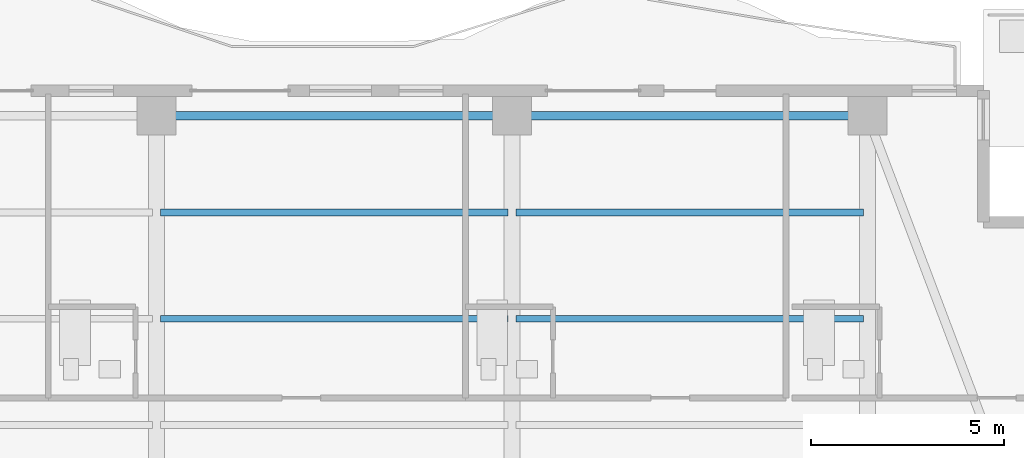
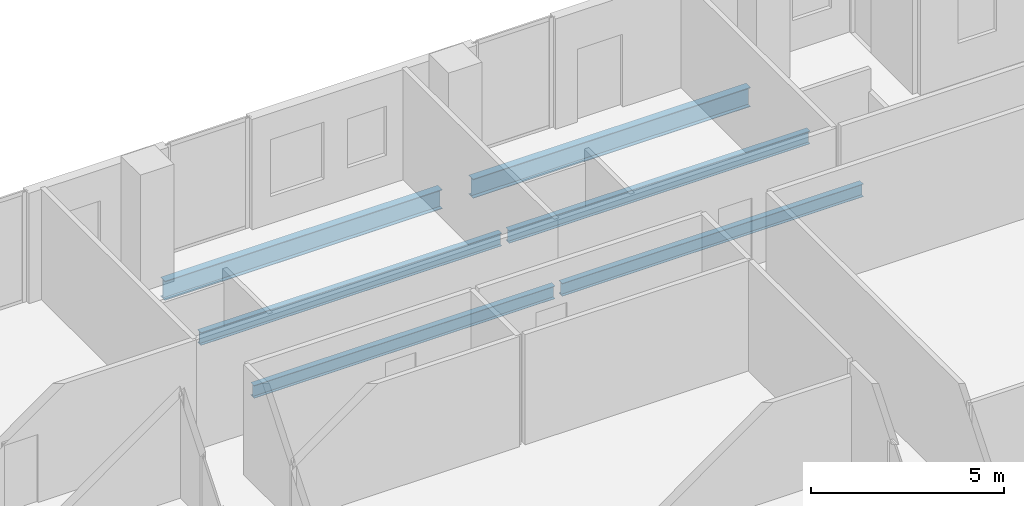
# One storey, part 13 of 23: 6 beams.
"""IFC4 building model written with IfcOpenShell, lengths in metres."""

from ifc_helpers import new_model, si_unit, direction, frame, origin, origin_2d, place, context, subcontext, project, spatial, i_section, extrude, material, material_profile, profile_set, type_object, element, save


model = new_model("IFC4")

# Units and contexts
model_context = context("Model", 3, precision=1e-05, world=origin(), true_north=direction((0.0, 1.0)))
body_context = subcontext(model_context, "Body", "Model", "MODEL_VIEW")
ifc_project = project(units=[si_unit("LENGTHUNIT", "METRE"), si_unit("AREAUNIT", "SQUARE_METRE"), si_unit("VOLUMEUNIT", "CUBIC_METRE"), si_unit("PLANEANGLEUNIT", "RADIAN"), si_unit("MASSUNIT", "GRAM", prefix="KILO")], contexts=[model_context])

# Site, building, storey
site_placement = place(None, origin())
site = spatial("IfcSite", under=ifc_project, at=site_placement, CompositionType="ELEMENT")
building_placement = place(site_placement, origin())
building = spatial("IfcBuilding", under=site, at=building_placement, Name="Zuhayl Quay Hotel", CompositionType="ELEMENT")
storey_placement = place(building_placement, frame((0.0, 0.0, 261.85009765625)))
storey = spatial("IfcBuildingStorey", under=building, at=storey_placement, Name="L66", CompositionType="ELEMENT", Elevation=261.85009765625)

# Beams
ifc_material = material(Name="Steel ASTM A992 Grade 50", Category="steel")
ifc_material_profile_1 = material_profile(ifc_material, i_section(OverallWidth=0.22802734375, OverallDepth=0.60693359375, WebThickness=0.01123046875, FlangeThickness=0.017333984375, at=origin_2d()), Name="W24X76")
ifc_profile_set_1 = profile_set([ifc_material_profile_1], Name="Steel ASTM A992 Grade 50")
beam_type_1 = type_object("IfcBeamType", Name="BM_B3_W24X76", PredefinedType="BEAM", material=ifc_profile_set_1)
beam_1_placement = place(storey_placement, frame((13.340087890625, 38.35009765625, -0.523681640625), z_axis=(-1.0, 0.0, 0.0), x_axis=(0.0, -1.0, 0.0)))
element("IfcBeam", 1, at=beam_1_placement, inside=storey, type_object=beam_type_1, Name="L66 Floor Beam RG_L66_07", PredefinedType="BEAM", context=body_context, shape_type="SweptSolid", body=[
    extrude(i_section(OverallWidth=0.22802734375, OverallDepth=0.60693359375, WebThickness=0.01123046875, FlangeThickness=0.017333984375, at=origin_2d()), origin(), (0.0, 0.0, 1.0), 8.280029296875),
])
beam_2_placement = place(storey_placement, frame((4.139892578125, 38.35009765625, -0.523681640625), z_axis=(-1.0, 0.0, 0.0), x_axis=(0.0, -1.0, 0.0)))
element("IfcBeam", 2, at=beam_2_placement, inside=storey, type_object=beam_type_1, Name="L66 Floor Beam RG_L66_08", PredefinedType="BEAM", context=body_context, shape_type="SweptSolid", body=[
    extrude(i_section(OverallWidth=0.22802734375, OverallDepth=0.60693359375, WebThickness=0.01123046875, FlangeThickness=0.017333984375, at=origin_2d()), origin(), (0.0, 0.0, 1.0), 8.27978515625),
])
ifc_material_profile_2 = material_profile(ifc_material, i_section(OverallWidth=0.177978515625, OverallDepth=0.404052734375, WebThickness=0.007568359375, FlangeThickness=0.010986328125, at=origin_2d()), Name="W16X36")
ifc_profile_set_2 = profile_set([ifc_material_profile_2], Name="Steel ASTM A992 Grade 50")
beam_type_2 = type_object("IfcBeamType", Name="BM_J3_W16X36", PredefinedType="JOIST", material=ifc_profile_set_2)
beam_3_placement = place(storey_placement, frame((-4.493896484375, 33.10009765625, -0.422119140625), z_axis=(1.0, 0.0, 0.0), x_axis=(0.0, 1.0, 0.0)))
element("IfcBeam", 3, at=beam_3_placement, inside=storey, type_object=beam_type_2, Name="L66 Floor Beam FJ_L66_7_2", PredefinedType="JOIST", context=body_context, shape_type="SweptSolid", body=[
    extrude(i_section(OverallWidth=0.177978515625, OverallDepth=0.404052734375, WebThickness=0.007568359375, FlangeThickness=0.010986328125, at=origin_2d()), origin(), (0.0, 0.0, 1.0), 8.98779296875),
])
beam_4_placement = place(storey_placement, frame((4.7060546875, 33.10009765625, -0.422119140625), z_axis=(1.0, 0.0, 0.0), x_axis=(0.0, 1.0, 0.0)))
element("IfcBeam", 4, at=beam_4_placement, inside=storey, type_object=beam_type_2, Name="L66 Floor Beam FJ_L66_7_3", PredefinedType="JOIST", context=body_context, shape_type="SweptSolid", body=[
    extrude(i_section(OverallWidth=0.177978515625, OverallDepth=0.404052734375, WebThickness=0.007568359375, FlangeThickness=0.010986328125, at=origin_2d()), origin(), (0.0, 0.0, 1.0), 8.988037109375),
])
beam_5_placement = place(storey_placement, frame((-4.493896484375, 35.85009765625, -0.422119140625), z_axis=(1.0, 0.0, 0.0), x_axis=(0.0, 1.0, 0.0)))
element("IfcBeam", 5, at=beam_5_placement, inside=storey, type_object=beam_type_2, Name="L66 Floor Beam FJ_L66_8_2", PredefinedType="JOIST", context=body_context, shape_type="SweptSolid", body=[
    extrude(i_section(OverallWidth=0.177978515625, OverallDepth=0.404052734375, WebThickness=0.007568359375, FlangeThickness=0.010986328125, at=origin_2d()), origin(), (0.0, 0.0, 1.0), 8.98779296875),
])
beam_6_placement = place(storey_placement, frame((4.7060546875, 35.85009765625, -0.422119140625), z_axis=(1.0, 0.0, 0.0), x_axis=(0.0, 1.0, 0.0)))
element("IfcBeam", 6, at=beam_6_placement, inside=storey, type_object=beam_type_2, Name="L66 Floor Beam FJ_L66_8_3", PredefinedType="JOIST", context=body_context, shape_type="SweptSolid", body=[
    extrude(i_section(OverallWidth=0.177978515625, OverallDepth=0.404052734375, WebThickness=0.007568359375, FlangeThickness=0.010986328125, at=origin_2d()), origin(), (0.0, 0.0, 1.0), 8.988037109375),
])

save(model, "model.ifc")
